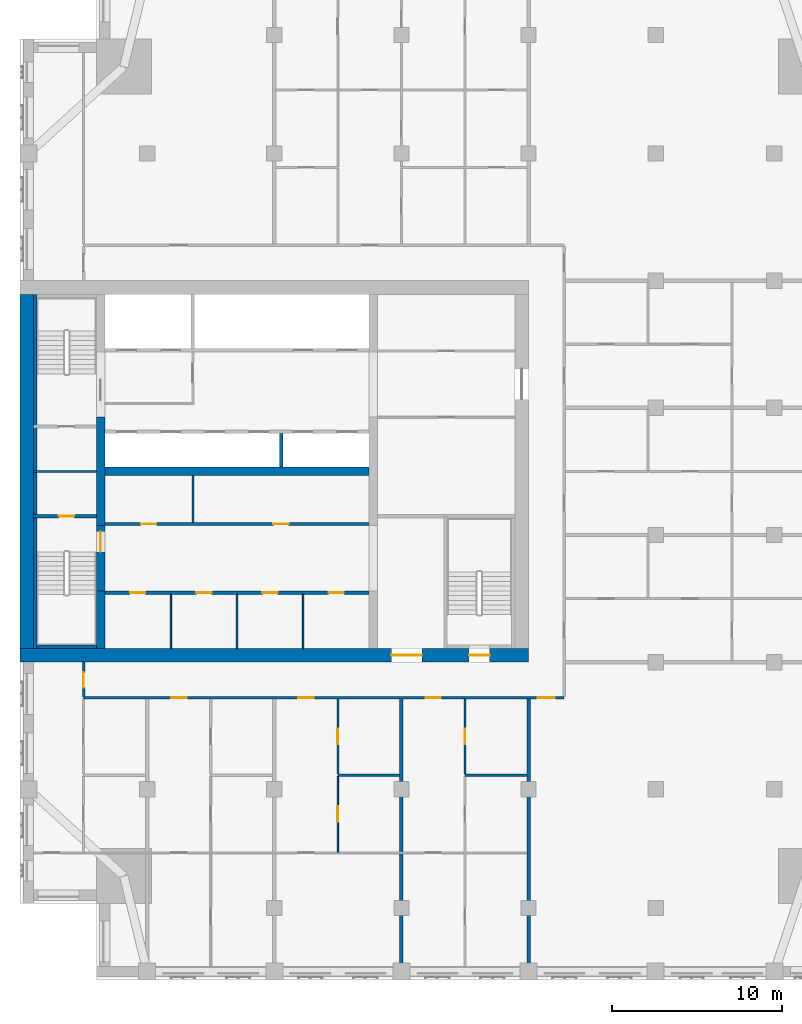
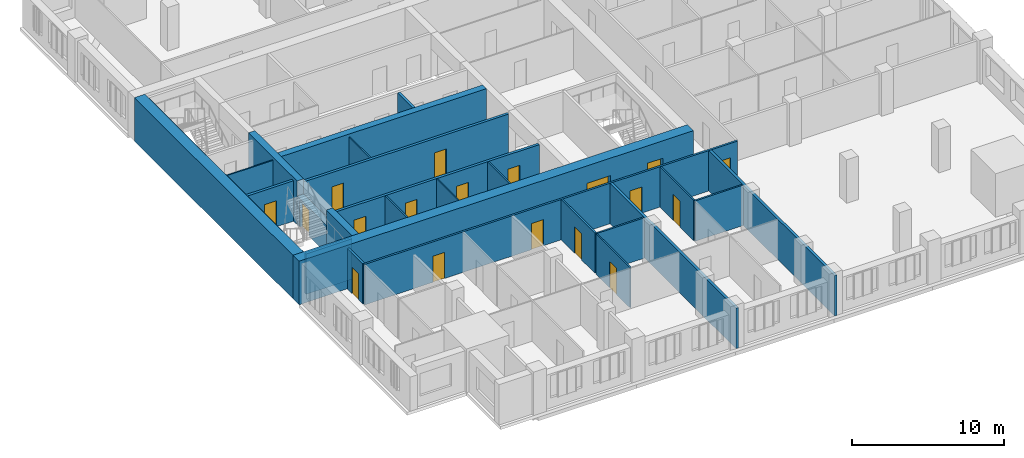
# One storey, part 7 of 14: 26 walls, 18 doors, 18 openings.
"""IFC4 building model written with IfcOpenShell, lengths in metres."""

from ifc_helpers import new_model, si_unit, direction, frame, frame_2d, origin, place, context, subcontext, project, spatial, rectangle, extrude, material, layer, layer_set, type_object, element, fill, save


model = new_model("IFC4")

# Units and contexts
model_context = context("Model", 3, precision=1e-05, world=origin(), true_north=direction((0.0, 1.0)))
body_context = subcontext(model_context, "Body", "Model", "MODEL_VIEW")
ifc_project = project(units=[si_unit("LENGTHUNIT", "METRE"), si_unit("AREAUNIT", "SQUARE_METRE"), si_unit("VOLUMEUNIT", "CUBIC_METRE"), si_unit("PLANEANGLEUNIT", "RADIAN"), si_unit("MASSUNIT", "GRAM", prefix="KILO")], contexts=[model_context])

# Site, building, storey
site_placement = place(None, origin())
site = spatial("IfcSite", under=ifc_project, at=site_placement, CompositionType="ELEMENT")
building_placement = place(site_placement, origin())
building = spatial("IfcBuilding", under=site, at=building_placement, Name="Tamorin Gate", CompositionType="ELEMENT")
storey_placement = place(building_placement, frame((0.0, 0.0, 186.199951171875)))
storey = spatial("IfcBuildingStorey", under=building, at=storey_placement, Name="L45", CompositionType="ELEMENT", Elevation=186.199951171875)

# Wall, openings, doors
ifc_material_1 = material(Name="Gypsum board partition")
ifc_layer_1 = layer(ifc_material_1, 0.14990234375)
ifc_layer_set_1 = layer_set([ifc_layer_1], Name="Corridor wall 150")
wall_type_1 = type_object("IfcWallType", Name="Corridor wall 150", PredefinedType="PARTITIONING", material=ifc_layer_set_1)
wall_1_placement = place(storey_placement, frame((33.75, 57.89990234375, 0.0), z_axis=(0.0, 0.0, 1.0), x_axis=(1.0, 0.0, 0.0)))
wall_1 = element("IfcWall", 1, at=wall_1_placement, inside=storey, type_object=wall_type_1, Name="Corridor wall 150", PredefinedType="PARTITIONING", context=body_context, shape_type="SweptSolid", body=[
    extrude(rectangle(XDim=28.35009765625, YDim=0.14990234375, at=frame_2d((14.175048828125, 0.0))), origin(), (0.0, 0.0, 1.0), 3.25),
])
opening_1_placement = place(wall_1_placement, frame((5.175048828125, 0.0, 0.0)))
opening_1 = element("IfcOpeningElement", 2, at=opening_1_placement, cuts=wall_1, Name="Opening DR3005", PredefinedType="OPENING", context=body_context, shape_type="SweptSolid", body=[
    extrude(rectangle(XDim=0.89990234375, YDim=2.10009765625, at=frame_2d((0.449951171875, 1.050048828125))), frame((0.0, 0.0849609375, 0.0), z_axis=(0.0, -1.0, 0.0), x_axis=(1.0, 0.0, 0.0)), (0.0, 0.0, 1.0), 0.169921875),
])
opening_2_placement = place(wall_1_placement, frame((12.675048828125, 0.0, 0.0)))
opening_2 = element("IfcOpeningElement", 3, at=opening_2_placement, cuts=wall_1, Name="Opening DR3010", PredefinedType="OPENING", context=body_context, shape_type="SweptSolid", body=[
    extrude(rectangle(XDim=0.89990234375, YDim=2.10009765625, at=frame_2d((0.449951171875, 1.050048828125))), frame((0.0, 0.0849609375, 0.0), z_axis=(0.0, -1.0, 0.0), x_axis=(1.0, 0.0, 0.0)), (0.0, 0.0, 1.0), 0.169921875),
])
opening_3_placement = place(wall_1_placement, frame((20.175048828125, 0.0, 0.0)))
opening_3 = element("IfcOpeningElement", 4, at=opening_3_placement, cuts=wall_1, Name="Opening DR3014", PredefinedType="OPENING", context=body_context, shape_type="SweptSolid", body=[
    extrude(rectangle(XDim=0.89990234375, YDim=2.10009765625, at=frame_2d((0.449951171875, 1.050048828125))), frame((0.0, 0.0849609375, 0.0), z_axis=(0.0, -1.0, 0.0), x_axis=(1.0, 0.0, 0.0)), (0.0, 0.0, 1.0), 0.169921875),
])
opening_4_placement = place(wall_1_placement, frame((26.800048828125, 0.0, 0.0)))
opening_4 = element("IfcOpeningElement", 5, at=opening_4_placement, cuts=wall_1, Name="Opening DR3019", PredefinedType="OPENING", context=body_context, shape_type="SweptSolid", body=[
    extrude(rectangle(XDim=1.0, YDim=2.10009765625, at=frame_2d((0.5, 1.050048828125))), frame((0.0, 0.0849609375, 0.0), z_axis=(0.0, -1.0, 0.0), x_axis=(1.0, 0.0, 0.0)), (0.0, 0.0, 1.0), 0.169921875),
])
ifc_material_2 = material(Name="Timber door leaf", Category="wood")
door_type_1 = type_object("IfcDoorType", Name="Door 1000 x 2100 FD30S", OperationType="NOTDEFINED", PredefinedType="DOOR", material=ifc_material_2)
door_1_placement = place(opening_4_placement, origin())
door_1 = element("IfcDoor", 6, at=door_1_placement, inside=storey, type_object=door_type_1, Name="Door DR3019", OperationType="SINGLE_SWING_RIGHT", OverallHeight=2.10009765625, OverallWidth=1.0, PredefinedType="DOOR", context=body_context, shape_type="SweptSolid", body=[
    extrude(rectangle(XDim=1.0, YDim=2.10009765625, at=frame_2d((0.5, 1.050048828125))), frame((0.0, 0.02490234375, 0.0), z_axis=(0.0, -1.0, 0.0), x_axis=(1.0, 0.0, 0.0)), (0.0, 0.0, 1.0), 0.050048828125),
])
fill(opening_4, door_1)
door_type_2 = type_object("IfcDoorType", Name="Door 900 x 2100 FD30S", OperationType="NOTDEFINED", PredefinedType="DOOR", material=ifc_material_2)
door_2_placement = place(opening_1_placement, origin())
door_2 = element("IfcDoor", 7, at=door_2_placement, inside=storey, type_object=door_type_2, Name="Door DR3005", OperationType="SINGLE_SWING_RIGHT", OverallHeight=2.10009765625, OverallWidth=0.89990234375, PredefinedType="DOOR", context=body_context, shape_type="SweptSolid", body=[
    extrude(rectangle(XDim=0.89990234375, YDim=2.10009765625, at=frame_2d((0.449951171875, 1.050048828125))), frame((0.0, 0.02490234375, 0.0), z_axis=(0.0, -1.0, 0.0), x_axis=(1.0, 0.0, 0.0)), (0.0, 0.0, 1.0), 0.050048828125),
])
fill(opening_1, door_2)
door_3_placement = place(opening_2_placement, origin())
door_3 = element("IfcDoor", 8, at=door_3_placement, inside=storey, type_object=door_type_2, Name="Door DR3010", OperationType="SINGLE_SWING_RIGHT", OverallHeight=2.10009765625, OverallWidth=0.89990234375, PredefinedType="DOOR", context=body_context, shape_type="SweptSolid", body=[
    extrude(rectangle(XDim=0.89990234375, YDim=2.10009765625, at=frame_2d((0.449951171875, 1.050048828125))), frame((0.0, 0.02490234375, 0.0), z_axis=(0.0, -1.0, 0.0), x_axis=(1.0, 0.0, 0.0)), (0.0, 0.0, 1.0), 0.050048828125),
])
fill(opening_2, door_3)
door_4_placement = place(opening_3_placement, origin())
door_4 = element("IfcDoor", 9, at=door_4_placement, inside=storey, type_object=door_type_2, Name="Door DR3014", OperationType="SINGLE_SWING_RIGHT", OverallHeight=2.10009765625, OverallWidth=0.89990234375, PredefinedType="DOOR", context=body_context, shape_type="SweptSolid", body=[
    extrude(rectangle(XDim=0.89990234375, YDim=2.10009765625, at=frame_2d((0.449951171875, 1.050048828125))), frame((0.0, 0.02490234375, 0.0), z_axis=(0.0, -1.0, 0.0), x_axis=(1.0, 0.0, 0.0)), (0.0, 0.0, 1.0), 0.050048828125),
])
fill(opening_3, door_4)

# Wall, opening, door
wall_2_placement = place(storey_placement, frame((33.75, 57.97509765625, 0.0), z_axis=(0.0, 0.0, 1.0), x_axis=(0.0, 1.0, 0.0)))
wall_2 = element("IfcWall", 10, at=wall_2_placement, inside=storey, type_object=wall_type_1, Name="Corridor wall 150", PredefinedType="PARTITIONING", context=body_context, shape_type="SweptSolid", body=[
    extrude(rectangle(XDim=2.02490234375, YDim=0.14990234375, at=frame_2d((1.012451171875, 0.0))), origin(), (0.0, 0.0, 1.0), 3.25),
])
opening_5_placement = place(wall_2_placement, frame((0.52490234375, 0.0, 0.0)))
opening_5 = element("IfcOpeningElement", 11, at=opening_5_placement, cuts=wall_2, Name="Opening DR3001", PredefinedType="OPENING", context=body_context, shape_type="SweptSolid", body=[
    extrude(rectangle(XDim=0.89990234375, YDim=2.10009765625, at=frame_2d((0.449951171875, 1.050048828125))), frame((0.0, 0.0849609375, 0.0), z_axis=(0.0, -1.0, 0.0), x_axis=(1.0, 0.0, 0.0)), (0.0, 0.0, 1.0), 0.169921875),
])
door_5_placement = place(opening_5_placement, origin())
door_5 = element("IfcDoor", 12, at=door_5_placement, inside=storey, type_object=door_type_2, Name="Door DR3001", OperationType="SINGLE_SWING_LEFT", OverallHeight=2.10009765625, OverallWidth=0.89990234375, PredefinedType="DOOR", context=body_context, shape_type="SweptSolid", body=[
    extrude(rectangle(XDim=0.89990234375, YDim=2.10009765625, at=frame_2d((0.449951171875, 1.050048828125))), frame((0.0, 0.02490234375, 0.0), z_axis=(0.0, -1.0, 0.0), x_axis=(1.0, 0.0, 0.0)), (0.0, 0.0, 1.0), 0.050048828125),
])
fill(opening_5, door_5)

# Walls
ifc_layer_2 = layer(ifc_material_1, 0.199951171875)
ifc_layer_set_2 = layer_set([ifc_layer_2], Name="Demising wall 200")
wall_type_2 = type_object("IfcWallType", Name="Demising wall 200", PredefinedType="PARTITIONING", material=ifc_layer_set_2)
for number, where, z_axis, x_axis, name in (
    (13, (52.5, 41.25, 0.0), (0.0, 0.0, 1.0), (0.0, 1.0, 0.0), "Demising wall 200"),
    (14, (60.0, 41.25, 0.0), (0.0, 0.0, 1.0), (0.0, 1.0, 0.0), "Demising wall 200"),
):
    element("IfcWall", number, at=place(storey_placement, frame(where, z_axis=z_axis, x_axis=x_axis)), inside=storey, type_object=wall_type_2, Name=name, PredefinedType="PARTITIONING", context=body_context, shape_type="SweptSolid", body=[
        extrude(rectangle(XDim=16.574951171875, YDim=0.199951171875, at=frame_2d((8.28759765625, 0.0))), origin(), (0.0, 0.0, 1.0), 3.25),
    ])
ifc_material_3 = material(Name="Concrete C32/40", Category="concrete")
ifc_layer_3 = layer(ifc_material_3, 0.199951171875)
ifc_layer_set_3 = layer_set([ifc_layer_3], Name="Lift shaft wall 200 EI 120")
wall_type_3 = type_object("IfcWallType", Name="Lift shaft wall 200 EI 120", PredefinedType="SOLIDWALL", material=ifc_layer_set_3)
wall_3_placement = place(storey_placement, frame((45.39990234375, 71.5, 0.0), z_axis=(0.0, 0.0, 1.0), x_axis=(0.0, 1.0, 0.0)))
element("IfcWall", 15, at=wall_3_placement, inside=storey, type_object=wall_type_3, Name="Lift shaft wall", PredefinedType="SOLIDWALL", context=body_context, shape_type="SweptSolid", body=[
    extrude(rectangle(XDim=2.0, YDim=0.199951171875, at=frame_2d((1.0, 0.0))), origin(), (0.0, 0.0, 1.0), 3.5),
])
ifc_material_4 = material(Name="Concrete C60/75", Category="concrete")
ifc_layer_4 = layer(ifc_material_4, 0.5)
ifc_layer_set_4 = layer_set([ifc_layer_4], Name="RC core internal wall 500 C60/75")
wall_type_4 = type_object("IfcWallType", Name="RC core internal wall 500 C60/75", PredefinedType="SHEAR", material=ifc_layer_set_4)
wall_4_placement = place(storey_placement, frame((35.0, 71.25, 0.0), z_axis=(0.0, 0.0, 1.0), x_axis=(1.0, 0.0, 0.0)))
element("IfcWall", 16, at=wall_4_placement, inside=storey, type_object=wall_type_4, Name="Core spine wall L45", PredefinedType="SHEAR", context=body_context, shape_type="SweptSolid", body=[
    extrude(rectangle(XDim=15.60009765625, YDim=0.5, at=frame_2d((7.800048828125, 0.0))), origin(), (0.0, 0.0, 1.0), 3.5),
])
wall_5_placement = place(storey_placement, frame((34.75, 60.800048828125, 0.0), z_axis=(0.0, 0.0, 1.0), x_axis=(0.0, 1.0, 0.0)))
element("IfcWall", 17, at=wall_5_placement, inside=storey, type_object=wall_type_4, Name="Core cross wall L45", PredefinedType="SHEAR", context=body_context, shape_type="SweptSolid", body=[
    extrude(rectangle(XDim=3.39990234375, YDim=0.5, at=frame_2d((1.699951171875, 0.0))), origin(), (0.0, 0.0, 1.0), 3.5),
])
wall_6_placement = place(storey_placement, frame((34.75, 68.050048828125, 0.0), z_axis=(0.0, 0.0, 1.0), x_axis=(0.0, 1.0, 0.0)))
element("IfcWall", 18, at=wall_6_placement, inside=storey, type_object=wall_type_4, Name="Core cross wall L45", PredefinedType="SHEAR", context=body_context, shape_type="SweptSolid", body=[
    extrude(rectangle(XDim=6.39990234375, YDim=0.5, at=frame_2d((3.199951171875, 0.0))), origin(), (0.0, 0.0, 1.0), 3.5),
])

# Wall, openings, doors
ifc_layer_5 = layer(ifc_material_4, 0.800048828125)
ifc_layer_set_5 = layer_set([ifc_layer_5], Name="RC core wall 800 C60/75")
wall_type_5 = type_object("IfcWallType", Name="RC core wall 800 C60/75", PredefinedType="SHEAR", material=ifc_layer_set_5)
wall_7_placement = place(storey_placement, frame((30.0, 60.39990234375, 0.0), z_axis=(0.0, 0.0, 1.0), x_axis=(1.0, 0.0, 0.0)))
wall_7 = element("IfcWall", 19, at=wall_7_placement, inside=storey, type_object=wall_type_5, Name="Core wall L45", PredefinedType="SHEAR", context=body_context, shape_type="SweptSolid", body=[
    extrude(rectangle(XDim=30.0, YDim=0.800048828125, at=frame_2d((15.0, 0.0))), origin(), (0.0, 0.0, 1.0), 3.5),
])
opening_6_placement = place(wall_7_placement, frame((21.89990234375, 0.0, 0.0)))
opening_6 = element("IfcOpeningElement", 20, at=opening_6_placement, cuts=wall_7, Name="Opening DE1", PredefinedType="OPENING", context=body_context, shape_type="SweptSolid", body=[
    extrude(rectangle(XDim=1.800048828125, YDim=2.10009765625, at=frame_2d((0.89990234375, 1.050048828125))), frame((0.0, 0.409912109375, 0.0), z_axis=(0.0, -1.0, 0.0), x_axis=(1.0, 0.0, 0.0)), (0.0, 0.0, 1.0), 0.820068359375),
])
opening_7_placement = place(wall_7_placement, frame((26.5, 0.0, 0.0)))
opening_7 = element("IfcOpeningElement", 21, at=opening_7_placement, cuts=wall_7, Name="Opening DS1", PredefinedType="OPENING", context=body_context, shape_type="SweptSolid", body=[
    extrude(rectangle(XDim=1.199951171875, YDim=2.10009765625, at=frame_2d((0.60009765625, 1.050048828125))), frame((0.0, 0.409912109375, 0.0), z_axis=(0.0, -1.0, 0.0), x_axis=(1.0, 0.0, 0.0)), (0.0, 0.0, 1.0), 0.820068359375),
])
ifc_material_5 = material(Name="Steel fire door", Category="steel")
door_type_3 = type_object("IfcDoorType", Name="Lobby exit double door 1800 x 2100 EI 60", OperationType="DOUBLE_DOOR_SINGLE_SWING", PredefinedType="DOOR", material=ifc_material_5)
door_6_placement = place(opening_6_placement, origin())
door_6 = element("IfcDoor", 22, at=door_6_placement, inside=storey, type_object=door_type_3, Name="Lift lobby A exit door", OperationType="DOUBLE_DOOR_SINGLE_SWING", OverallHeight=2.10009765625, OverallWidth=1.800048828125, PredefinedType="DOOR", context=body_context, shape_type="SweptSolid", body=[
    extrude(rectangle(XDim=1.800048828125, YDim=2.10009765625, at=frame_2d((0.89990234375, 1.050048828125))), frame((0.0, 0.02490234375, 0.0), z_axis=(0.0, -1.0, 0.0), x_axis=(1.0, 0.0, 0.0)), (0.0, 0.0, 1.0), 0.050048828125),
])
fill(opening_6, door_6)
door_type_4 = type_object("IfcDoorType", Name="Stair door 1200 x 2100 EI 90", OperationType="SINGLE_SWING_LEFT", PredefinedType="DOOR", material=ifc_material_5)
door_7_placement = place(opening_7_placement, origin())
door_7 = element("IfcDoor", 23, at=door_7_placement, inside=storey, type_object=door_type_4, Name="ST3 door", OperationType="SINGLE_SWING_LEFT", OverallHeight=2.10009765625, OverallWidth=1.199951171875, PredefinedType="DOOR", context=body_context, shape_type="SweptSolid", body=[
    extrude(rectangle(XDim=1.199951171875, YDim=2.10009765625, at=frame_2d((0.60009765625, 1.050048828125))), frame((0.0, 0.02490234375, 0.0), z_axis=(0.0, -1.0, 0.0), x_axis=(1.0, 0.0, 0.0)), (0.0, 0.0, 1.0), 0.050048828125),
])
fill(opening_7, door_7)

# Walls
wall_8_placement = place(storey_placement, frame((30.39990234375, 60.800048828125, 0.0), z_axis=(0.0, 0.0, 1.0), x_axis=(0.0, 1.0, 0.0)))
element("IfcWall", 24, at=wall_8_placement, inside=storey, type_object=wall_type_5, Name="Core wall L45", PredefinedType="SHEAR", context=body_context, shape_type="SweptSolid", body=[
    extrude(rectangle(XDim=20.89990234375, YDim=0.800048828125, at=frame_2d((10.449951171875, 0.0))), origin(), (0.0, 0.0, 1.0), 3.5),
])
ifc_material_6 = material(Name="Fire-rated gypsum board partition")
ifc_layer_6 = layer(ifc_material_6, 0.10009765625)
ifc_layer_set_6 = layer_set([ifc_layer_6], Name="Riser partition 100 EI 120")
wall_type_6 = type_object("IfcWallType", Name="Riser partition 100 EI 120", PredefinedType="PARTITIONING", material=ifc_layer_set_6)
wall_9_placement = place(storey_placement, frame((30.800048828125, 71.25, 0.0), z_axis=(0.0, 0.0, 1.0), x_axis=(1.0, 0.0, 0.0)))
element("IfcWall", 25, at=wall_9_placement, inside=storey, type_object=wall_type_6, Name="Riser partition", PredefinedType="PARTITIONING", context=body_context, shape_type="SweptSolid", body=[
    extrude(rectangle(XDim=3.699951171875, YDim=0.10009765625, at=frame_2d((1.85009765625, 0.0))), origin(), (0.0, 0.0, 1.0), 3.25),
])

# Wall, opening, door
ifc_layer_7 = layer(ifc_material_1, 0.10009765625)
ifc_layer_set_7 = layer_set([ifc_layer_7], Name="Room partition 100")
wall_type_7 = type_object("IfcWallType", Name="Room partition 100", PredefinedType="PARTITIONING", material=ifc_layer_set_7)
wall_10_placement = place(storey_placement, frame((48.75, 48.800048828125, 0.0), z_axis=(0.0, 0.0, 1.0), x_axis=(0.0, 1.0, 0.0)))
wall_10 = element("IfcWall", 26, at=wall_10_placement, inside=storey, type_object=wall_type_7, Name="Room partition 100", PredefinedType="PARTITIONING", context=body_context, shape_type="SweptSolid", body=[
    extrude(rectangle(XDim=4.46240234375, YDim=0.10009765625, at=frame_2d((2.231201171875, 0.0))), origin(), (0.0, 0.0, 1.0), 3.25),
])
opening_8_placement = place(wall_10_placement, frame((1.78759765625, 0.0, 0.0)))
opening_8 = element("IfcOpeningElement", 27, at=opening_8_placement, cuts=wall_10, Name="Opening DR3012", PredefinedType="OPENING", context=body_context, shape_type="SweptSolid", body=[
    extrude(rectangle(XDim=0.89990234375, YDim=2.10009765625, at=frame_2d((0.449951171875, 1.050048828125))), frame((0.0, 0.06005859375, 0.0), z_axis=(0.0, -1.0, 0.0), x_axis=(1.0, 0.0, 0.0)), (0.0, 0.0, 1.0), 0.1201171875),
])
door_type_5 = type_object("IfcDoorType", Name="Door 900 x 2100", OperationType="NOTDEFINED", PredefinedType="DOOR", material=ifc_material_2)
door_8_placement = place(opening_8_placement, origin())
door_8 = element("IfcDoor", 28, at=door_8_placement, inside=storey, type_object=door_type_5, Name="Door DR3012", OperationType="SINGLE_SWING_RIGHT", OverallHeight=2.10009765625, OverallWidth=0.89990234375, PredefinedType="DOOR", context=body_context, shape_type="SweptSolid", body=[
    extrude(rectangle(XDim=0.89990234375, YDim=2.10009765625, at=frame_2d((0.449951171875, 1.050048828125))), frame((0.0, 0.02490234375, 0.0), z_axis=(0.0, -1.0, 0.0), x_axis=(1.0, 0.0, 0.0)), (0.0, 0.0, 1.0), 0.050048828125),
])
fill(opening_8, door_8)

# Wall, openings, doors
ifc_layer_8 = layer(ifc_material_1, 0.199951171875)
ifc_layer_set_8 = layer_set([ifc_layer_8], Name="Service room face wall 200 EI 60")
wall_type_8 = type_object("IfcWallType", Name="Service room face wall 200 EI 60", PredefinedType="PARTITIONING", material=ifc_layer_set_8)
wall_11_placement = place(storey_placement, frame((35.0, 64.10009765625, 0.0), z_axis=(0.0, 0.0, 1.0), x_axis=(1.0, 0.0, 0.0)))
wall_11 = element("IfcWall", 29, at=wall_11_placement, inside=storey, type_object=wall_type_8, Name="Service room face wall", PredefinedType="PARTITIONING", context=body_context, shape_type="SweptSolid", body=[
    extrude(rectangle(XDim=15.60009765625, YDim=0.199951171875, at=frame_2d((7.800048828125, 0.0))), origin(), (0.0, 0.0, 1.0), 3.25),
])
opening_9_placement = place(wall_11_placement, frame((1.5, 0.0, 0.0)))
opening_9 = element("IfcOpeningElement", 30, at=opening_9_placement, cuts=wall_11, Name="Opening DK1", PredefinedType="OPENING", context=body_context, shape_type="SweptSolid", body=[
    extrude(rectangle(XDim=0.89990234375, YDim=2.10009765625, at=frame_2d((0.449951171875, 1.050048828125))), frame((0.0, 0.10986328125, 0.0), z_axis=(0.0, -1.0, 0.0), x_axis=(1.0, 0.0, 0.0)), (0.0, 0.0, 1.0), 0.219970703125),
])
opening_10_placement = place(wall_11_placement, frame((5.39990234375, 0.0, 0.0)))
opening_10 = element("IfcOpeningElement", 31, at=opening_10_placement, cuts=wall_11, Name="Opening DK1", PredefinedType="OPENING", context=body_context, shape_type="SweptSolid", body=[
    extrude(rectangle(XDim=0.89990234375, YDim=2.10009765625, at=frame_2d((0.449951171875, 1.050048828125))), frame((0.0, 0.10986328125, 0.0), z_axis=(0.0, -1.0, 0.0), x_axis=(1.0, 0.0, 0.0)), (0.0, 0.0, 1.0), 0.219970703125),
])
opening_11_placement = place(wall_11_placement, frame((9.300048828125, 0.0, 0.0)))
opening_11 = element("IfcOpeningElement", 32, at=opening_11_placement, cuts=wall_11, Name="Opening DK1", PredefinedType="OPENING", context=body_context, shape_type="SweptSolid", body=[
    extrude(rectangle(XDim=0.89990234375, YDim=2.10009765625, at=frame_2d((0.449951171875, 1.050048828125))), frame((0.0, 0.10986328125, 0.0), z_axis=(0.0, -1.0, 0.0), x_axis=(1.0, 0.0, 0.0)), (0.0, 0.0, 1.0), 0.219970703125),
])
opening_12_placement = place(wall_11_placement, frame((13.199951171875, 0.0, 0.0)))
opening_12 = element("IfcOpeningElement", 33, at=opening_12_placement, cuts=wall_11, Name="Opening DK1", PredefinedType="OPENING", context=body_context, shape_type="SweptSolid", body=[
    extrude(rectangle(XDim=0.89990234375, YDim=2.10009765625, at=frame_2d((0.449951171875, 1.050048828125))), frame((0.0, 0.10986328125, 0.0), z_axis=(0.0, -1.0, 0.0), x_axis=(1.0, 0.0, 0.0)), (0.0, 0.0, 1.0), 0.219970703125),
])
ifc_material_7 = material(Name="Timber fire door", Category="wood")
door_type_6 = type_object("IfcDoorType", Name="Service room door 900 x 2100 EI 60", OperationType="SINGLE_SWING_LEFT", PredefinedType="DOOR", material=ifc_material_7)
door_9_placement = place(opening_9_placement, origin())
door_9 = element("IfcDoor", 34, at=door_9_placement, inside=storey, type_object=door_type_6, Name="Door Linen store", OperationType="SINGLE_SWING_LEFT", OverallHeight=2.10009765625, OverallWidth=0.89990234375, PredefinedType="DOOR", context=body_context, shape_type="SweptSolid", body=[
    extrude(rectangle(XDim=0.89990234375, YDim=2.10009765625, at=frame_2d((0.449951171875, 1.050048828125))), frame((0.0, 0.02490234375, 0.0), z_axis=(0.0, -1.0, 0.0), x_axis=(1.0, 0.0, 0.0)), (0.0, 0.0, 1.0), 0.050048828125),
])
fill(opening_9, door_9)
door_10_placement = place(opening_10_placement, origin())
door_10 = element("IfcDoor", 35, at=door_10_placement, inside=storey, type_object=door_type_6, Name="Door Cleaner's store", OperationType="SINGLE_SWING_RIGHT", OverallHeight=2.10009765625, OverallWidth=0.89990234375, PredefinedType="DOOR", context=body_context, shape_type="SweptSolid", body=[
    extrude(rectangle(XDim=0.89990234375, YDim=2.10009765625, at=frame_2d((0.449951171875, 1.050048828125))), frame((0.0, 0.02490234375, 0.0), z_axis=(0.0, -1.0, 0.0), x_axis=(1.0, 0.0, 0.0)), (0.0, 0.0, 1.0), 0.050048828125),
])
fill(opening_10, door_10)
door_11_placement = place(opening_11_placement, origin())
door_11 = element("IfcDoor", 36, at=door_11_placement, inside=storey, type_object=door_type_6, Name="Door Pantry", OperationType="SINGLE_SWING_LEFT", OverallHeight=2.10009765625, OverallWidth=0.89990234375, PredefinedType="DOOR", context=body_context, shape_type="SweptSolid", body=[
    extrude(rectangle(XDim=0.89990234375, YDim=2.10009765625, at=frame_2d((0.449951171875, 1.050048828125))), frame((0.0, 0.02490234375, 0.0), z_axis=(0.0, -1.0, 0.0), x_axis=(1.0, 0.0, 0.0)), (0.0, 0.0, 1.0), 0.050048828125),
])
fill(opening_11, door_11)
door_12_placement = place(opening_12_placement, origin())
door_12 = element("IfcDoor", 37, at=door_12_placement, inside=storey, type_object=door_type_6, Name="Door Refuse and recycling room", OperationType="SINGLE_SWING_RIGHT", OverallHeight=2.10009765625, OverallWidth=0.89990234375, PredefinedType="DOOR", context=body_context, shape_type="SweptSolid", body=[
    extrude(rectangle(XDim=0.89990234375, YDim=2.10009765625, at=frame_2d((0.449951171875, 1.050048828125))), frame((0.0, 0.02490234375, 0.0), z_axis=(0.0, -1.0, 0.0), x_axis=(1.0, 0.0, 0.0)), (0.0, 0.0, 1.0), 0.050048828125),
])
fill(opening_12, door_12)

wall_12_placement = place(storey_placement, frame((35.0, 68.14990234375, 0.0), z_axis=(0.0, 0.0, 1.0), x_axis=(1.0, 0.0, 0.0)))
wall_12 = element("IfcWall", 38, at=wall_12_placement, inside=storey, type_object=wall_type_8, Name="Service room face wall", PredefinedType="PARTITIONING", context=body_context, shape_type="SweptSolid", body=[
    extrude(rectangle(XDim=15.60009765625, YDim=0.199951171875, at=frame_2d((7.800048828125, 0.0))), origin(), (0.0, 0.0, 1.0), 3.25),
])
opening_13_placement = place(wall_12_placement, frame((2.14990234375, 0.0, 0.0)))
opening_13 = element("IfcOpeningElement", 39, at=opening_13_placement, cuts=wall_12, Name="Opening DK1", PredefinedType="OPENING", context=body_context, shape_type="SweptSolid", body=[
    extrude(rectangle(XDim=0.89990234375, YDim=2.10009765625, at=frame_2d((0.449951171875, 1.050048828125))), frame((0.0, 0.10986328125, 0.0), z_axis=(0.0, -1.0, 0.0), x_axis=(1.0, 0.0, 0.0)), (0.0, 0.0, 1.0), 0.219970703125),
])
opening_14_placement = place(wall_12_placement, frame((9.949951171875, 0.0, 0.0)))
opening_14 = element("IfcOpeningElement", 40, at=opening_14_placement, cuts=wall_12, Name="Opening DK1", PredefinedType="OPENING", context=body_context, shape_type="SweptSolid", body=[
    extrude(rectangle(XDim=0.89990234375, YDim=2.10009765625, at=frame_2d((0.449951171875, 1.050048828125))), frame((0.0, 0.10986328125, 0.0), z_axis=(0.0, -1.0, 0.0), x_axis=(1.0, 0.0, 0.0)), (0.0, 0.0, 1.0), 0.219970703125),
])
door_13_placement = place(opening_13_placement, origin())
door_13 = element("IfcDoor", 41, at=door_13_placement, inside=storey, type_object=door_type_6, Name="Door Linen store", OperationType="SINGLE_SWING_LEFT", OverallHeight=2.10009765625, OverallWidth=0.89990234375, PredefinedType="DOOR", context=body_context, shape_type="SweptSolid", body=[
    extrude(rectangle(XDim=0.89990234375, YDim=2.10009765625, at=frame_2d((0.449951171875, 1.050048828125))), frame((0.0, 0.02490234375, 0.0), z_axis=(0.0, -1.0, 0.0), x_axis=(1.0, 0.0, 0.0)), (0.0, 0.0, 1.0), 0.050048828125),
])
fill(opening_13, door_13)
door_14_placement = place(opening_14_placement, origin())
door_14 = element("IfcDoor", 42, at=door_14_placement, inside=storey, type_object=door_type_6, Name="Door Electrical and IT room", OperationType="SINGLE_SWING_RIGHT", OverallHeight=2.10009765625, OverallWidth=0.89990234375, PredefinedType="DOOR", context=body_context, shape_type="SweptSolid", body=[
    extrude(rectangle(XDim=0.89990234375, YDim=2.10009765625, at=frame_2d((0.449951171875, 1.050048828125))), frame((0.0, 0.02490234375, 0.0), z_axis=(0.0, -1.0, 0.0), x_axis=(1.0, 0.0, 0.0)), (0.0, 0.0, 1.0), 0.050048828125),
])
fill(opening_14, door_14)

# Walls
ifc_layer_9 = layer(ifc_material_1, 0.10009765625)
ifc_layer_set_9 = layer_set([ifc_layer_9], Name="Service room partition 100 EI 60")
wall_type_9 = type_object("IfcWallType", Name="Service room partition 100 EI 60", PredefinedType="PARTITIONING", material=ifc_layer_set_9)
for number, where, z_axis, x_axis, name in (
    (43, (38.89990234375, 60.800048828125, 0.0), (0.0, 0.0, 1.0), (0.0, 1.0, 0.0), "Service room partition"),
    (44, (42.800048828125, 60.800048828125, 0.0), (0.0, 0.0, 1.0), (0.0, 1.0, 0.0), "Service room partition"),
    (45, (46.699951171875, 60.800048828125, 0.0), (0.0, 0.0, 1.0), (0.0, 1.0, 0.0), "Service room partition"),
):
    element("IfcWall", number, at=place(storey_placement, frame(where, z_axis=z_axis, x_axis=x_axis)), inside=storey, type_object=wall_type_9, Name=name, PredefinedType="PARTITIONING", context=body_context, shape_type="SweptSolid", body=[
        extrude(rectangle(XDim=3.199951171875, YDim=0.10009765625, at=frame_2d((1.60009765625, 0.0))), origin(), (0.0, 0.0, 1.0), 3.25),
    ])
wall_13_placement = place(storey_placement, frame((40.199951171875, 68.25, 0.0), z_axis=(0.0, 0.0, 1.0), x_axis=(0.0, 1.0, 0.0)))
element("IfcWall", 46, at=wall_13_placement, inside=storey, type_object=wall_type_9, Name="Service room partition", PredefinedType="PARTITIONING", context=body_context, shape_type="SweptSolid", body=[
    extrude(rectangle(XDim=2.75, YDim=0.10009765625, at=frame_2d((1.375, 0.0))), origin(), (0.0, 0.0, 1.0), 3.25),
])

# Wall, opening, door
ifc_material_8 = material(Name="Concrete C40/50", Category="concrete")
ifc_layer_10 = layer(ifc_material_8, 0.199951171875)
ifc_layer_set_10 = layer_set([ifc_layer_10], Name="Stair enclosure wall 200 EI 120 C40/50")
wall_type_10 = type_object("IfcWallType", Name="Stair enclosure wall 200 EI 120 C40/50", PredefinedType="SOLIDWALL", material=ifc_layer_set_10)
wall_14_placement = place(storey_placement, frame((30.800048828125, 68.60009765625, 0.0), z_axis=(0.0, 0.0, 1.0), x_axis=(1.0, 0.0, 0.0)))
wall_14 = element("IfcWall", 47, at=wall_14_placement, inside=storey, type_object=wall_type_10, Name="Stair enclosure wall", PredefinedType="SOLIDWALL", context=body_context, shape_type="SweptSolid", body=[
    extrude(rectangle(XDim=3.699951171875, YDim=0.199951171875, at=frame_2d((1.85009765625, 0.0))), origin(), (0.0, 0.0, 1.0), 3.25),
])
opening_15_placement = place(wall_14_placement, frame((1.5, 0.0, 0.0)))
opening_15 = element("IfcOpeningElement", 48, at=opening_15_placement, cuts=wall_14, Name="Opening DR1", PredefinedType="OPENING", context=body_context, shape_type="SweptSolid", body=[
    extrude(rectangle(XDim=0.89990234375, YDim=2.10009765625, at=frame_2d((0.449951171875, 1.050048828125))), frame((0.0, 0.10986328125, 0.0), z_axis=(0.0, -1.0, 0.0), x_axis=(1.0, 0.0, 0.0)), (0.0, 0.0, 1.0), 0.219970703125),
])
door_type_7 = type_object("IfcDoorType", Name="Riser access door 900 x 2100 EI 120", OperationType="SINGLE_SWING_LEFT", PredefinedType="DOOR", material=ifc_material_5)
door_15_placement = place(opening_15_placement, origin())
door_15 = element("IfcDoor", 49, at=door_15_placement, inside=storey, type_object=door_type_7, Name="Electrical riser door", OperationType="SINGLE_SWING_LEFT", OverallHeight=2.10009765625, OverallWidth=0.89990234375, PredefinedType="DOOR", context=body_context, shape_type="SweptSolid", body=[
    extrude(rectangle(XDim=0.89990234375, YDim=2.10009765625, at=frame_2d((0.449951171875, 1.050048828125))), frame((0.0, 0.02490234375, 0.0), z_axis=(0.0, -1.0, 0.0), x_axis=(1.0, 0.0, 0.0)), (0.0, 0.0, 1.0), 0.050048828125),
])
fill(opening_15, door_15)

# Walls
ifc_layer_11 = layer(ifc_material_4, 0.199951171875)
ifc_layer_set_11 = layer_set([ifc_layer_11], Name="Stair lining wall 200 EI 120 C60/75")
wall_type_11 = type_object("IfcWallType", Name="Stair lining wall 200 EI 120 C60/75", PredefinedType="SOLIDWALL", material=ifc_layer_set_11)
wall_15_placement = place(storey_placement, frame((30.89990234375, 60.800048828125, 0.0), z_axis=(0.0, 0.0, 1.0), x_axis=(0.0, 1.0, 0.0)))
element("IfcWall", 50, at=wall_15_placement, inside=storey, type_object=wall_type_11, Name="Stair lining wall", PredefinedType="SOLIDWALL", context=body_context, shape_type="SweptSolid", body=[
    extrude(rectangle(XDim=20.89990234375, YDim=0.199951171875, at=frame_2d((10.449951171875, 0.0))), origin(), (0.0, 0.0, 1.0), 3.25),
])
wall_16_placement = place(storey_placement, frame((31.0, 60.89990234375, 0.0), z_axis=(0.0, 0.0, 1.0), x_axis=(1.0, 0.0, 0.0)))
element("IfcWall", 51, at=wall_16_placement, inside=storey, type_object=wall_type_11, Name="Stair lining wall", PredefinedType="SOLIDWALL", context=body_context, shape_type="SweptSolid", body=[
    extrude(rectangle(XDim=3.5, YDim=0.199951171875, at=frame_2d((1.75, 0.0))), origin(), (0.0, 0.0, 1.0), 3.25),
])

# Wall, opening, door
ifc_layer_12 = layer(ifc_material_3, 0.5)
ifc_layer_set_12 = layer_set([ifc_layer_12], Name="Stair lobby infill wall 500 EI 120")
wall_type_12 = type_object("IfcWallType", Name="Stair lobby infill wall 500 EI 120", PredefinedType="SOLIDWALL", material=ifc_layer_set_12)
wall_17_placement = place(storey_placement, frame((34.75, 64.199951171875, 0.0), z_axis=(0.0, 0.0, 1.0), x_axis=(0.0, 1.0, 0.0)))
wall_17 = element("IfcWall", 52, at=wall_17_placement, inside=storey, type_object=wall_type_12, Name="Stair lobby infill wall", PredefinedType="SOLIDWALL", context=body_context, shape_type="SweptSolid", body=[
    extrude(rectangle(XDim=3.85009765625, YDim=0.5, at=frame_2d((1.925048828125, 0.0))), origin(), (0.0, 0.0, 1.0), 2.300048828125),
])
opening_16_placement = place(wall_17_placement, frame((2.300048828125, 0.0, 0.0)))
opening_16 = element("IfcOpeningElement", 53, at=opening_16_placement, cuts=wall_17, Name="Opening DS1", PredefinedType="OPENING", context=body_context, shape_type="SweptSolid", body=[
    extrude(rectangle(XDim=1.199951171875, YDim=2.10009765625, at=frame_2d((0.60009765625, 1.050048828125))), frame((0.0, 0.260009765625, 0.0), z_axis=(0.0, -1.0, 0.0), x_axis=(1.0, 0.0, 0.0)), (0.0, 0.0, 1.0), 0.52001953125),
])
door_16_placement = place(opening_16_placement, origin())
door_16 = element("IfcDoor", 54, at=door_16_placement, inside=storey, type_object=door_type_4, Name="ST1 door", OperationType="SINGLE_SWING_LEFT", OverallHeight=2.10009765625, OverallWidth=1.199951171875, PredefinedType="DOOR", context=body_context, shape_type="SweptSolid", body=[
    extrude(rectangle(XDim=1.199951171875, YDim=2.10009765625, at=frame_2d((0.60009765625, 1.050048828125))), frame((0.0, 0.02490234375, 0.0), z_axis=(0.0, -1.0, 0.0), x_axis=(1.0, 0.0, 0.0)), (0.0, 0.0, 1.0), 0.050048828125),
])
fill(opening_16, door_16)

# Walls
ifc_layer_13 = layer(ifc_material_1, 0.125)
ifc_layer_set_13 = layer_set([ifc_layer_13], Name="Wet wall 125")
wall_type_13 = type_object("IfcWallType", Name="Wet wall 125", PredefinedType="PARTITIONING", material=ifc_layer_set_13)
for number, where, z_axis, x_axis, name in (
    (55, (48.75, 53.324951171875, 0.0), (0.0, 0.0, 1.0), (1.0, 0.0, 0.0), "Wet wall 125"),
    (56, (56.25, 53.324951171875, 0.0), (0.0, 0.0, 1.0), (1.0, 0.0, 0.0), "Wet wall 125"),
):
    element("IfcWall", number, at=place(storey_placement, frame(where, z_axis=z_axis, x_axis=x_axis)), inside=storey, type_object=wall_type_13, Name=name, PredefinedType="PARTITIONING", context=body_context, shape_type="SweptSolid", body=[
        extrude(rectangle(XDim=3.64990234375, YDim=0.125, at=frame_2d((1.824951171875, 0.0))), origin(), (0.0, 0.0, 1.0), 3.25),
    ])

# Wall, opening, door
wall_18_placement = place(storey_placement, frame((48.75, 53.387451171875, 0.0), z_axis=(0.0, 0.0, 1.0), x_axis=(0.0, 1.0, 0.0)))
wall_18 = element("IfcWall", 57, at=wall_18_placement, inside=storey, type_object=wall_type_13, Name="Wet wall 125", PredefinedType="PARTITIONING", context=body_context, shape_type="SweptSolid", body=[
    extrude(rectangle(XDim=4.4375, YDim=0.125, at=frame_2d((2.21875, 0.0))), origin(), (0.0, 0.0, 1.0), 3.25),
])
opening_17_placement = place(wall_18_placement, frame((1.77490234375, 0.0, 0.0)))
opening_17 = element("IfcOpeningElement", 58, at=opening_17_placement, cuts=wall_18, Name="Opening DR3013", PredefinedType="OPENING", context=body_context, shape_type="SweptSolid", body=[
    extrude(rectangle(XDim=0.89990234375, YDim=2.10009765625, at=frame_2d((0.449951171875, 1.050048828125))), frame((0.0, 0.072509765625, 0.0), z_axis=(0.0, -1.0, 0.0), x_axis=(1.0, 0.0, 0.0)), (0.0, 0.0, 1.0), 0.14501953125),
])
door_17_placement = place(opening_17_placement, origin())
door_17 = element("IfcDoor", 59, at=door_17_placement, inside=storey, type_object=door_type_5, Name="Door DR3013", OperationType="SINGLE_SWING_RIGHT", OverallHeight=2.10009765625, OverallWidth=0.89990234375, PredefinedType="DOOR", context=body_context, shape_type="SweptSolid", body=[
    extrude(rectangle(XDim=0.89990234375, YDim=2.10009765625, at=frame_2d((0.449951171875, 1.050048828125))), frame((0.0, 0.02490234375, 0.0), z_axis=(0.0, -1.0, 0.0), x_axis=(1.0, 0.0, 0.0)), (0.0, 0.0, 1.0), 0.050048828125),
])
fill(opening_17, door_17)

wall_19_placement = place(storey_placement, frame((56.25, 53.387451171875, 0.0), z_axis=(0.0, 0.0, 1.0), x_axis=(0.0, 1.0, 0.0)))
wall_19 = element("IfcWall", 60, at=wall_19_placement, inside=storey, type_object=wall_type_13, Name="Wet wall 125", PredefinedType="PARTITIONING", context=body_context, shape_type="SweptSolid", body=[
    extrude(rectangle(XDim=4.4375, YDim=0.125, at=frame_2d((2.21875, 0.0))), origin(), (0.0, 0.0, 1.0), 3.25),
])
opening_18_placement = place(wall_19_placement, frame((1.77490234375, 0.0, 0.0)))
opening_18 = element("IfcOpeningElement", 61, at=opening_18_placement, cuts=wall_19, Name="Opening DR3017", PredefinedType="OPENING", context=body_context, shape_type="SweptSolid", body=[
    extrude(rectangle(XDim=0.89990234375, YDim=2.10009765625, at=frame_2d((0.449951171875, 1.050048828125))), frame((0.0, 0.072509765625, 0.0), z_axis=(0.0, -1.0, 0.0), x_axis=(1.0, 0.0, 0.0)), (0.0, 0.0, 1.0), 0.14501953125),
])
door_18_placement = place(opening_18_placement, origin())
door_18 = element("IfcDoor", 62, at=door_18_placement, inside=storey, type_object=door_type_5, Name="Door DR3017", OperationType="SINGLE_SWING_RIGHT", OverallHeight=2.10009765625, OverallWidth=0.89990234375, PredefinedType="DOOR", context=body_context, shape_type="SweptSolid", body=[
    extrude(rectangle(XDim=0.89990234375, YDim=2.10009765625, at=frame_2d((0.449951171875, 1.050048828125))), frame((0.0, 0.02490234375, 0.0), z_axis=(0.0, -1.0, 0.0), x_axis=(1.0, 0.0, 0.0)), (0.0, 0.0, 1.0), 0.050048828125),
])
fill(opening_18, door_18)

save(model, "model.ifc")
